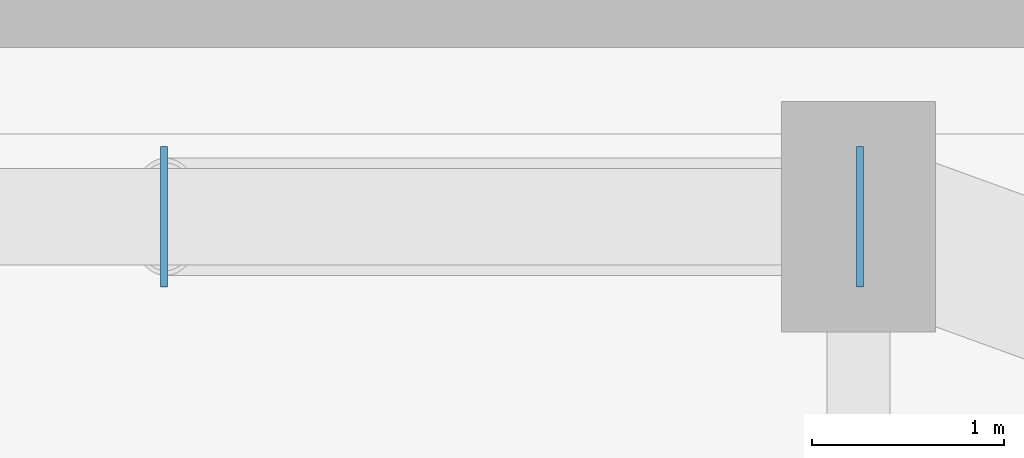
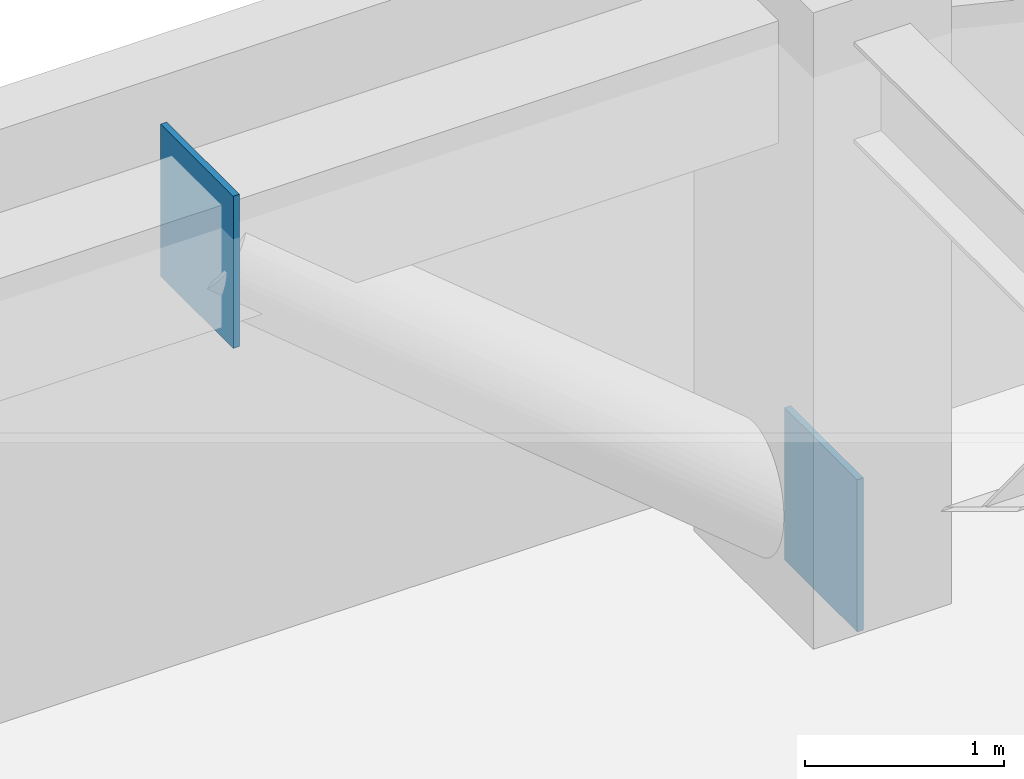
# One storey, part 17 of 24: 2 plates.
"""IFC4 building model written with IfcOpenShell, lengths in metres."""

from ifc_helpers import new_model, si_unit, direction, frame, origin, origin_2d, place, context, subcontext, project, spatial, rectangle, extrude, material, layer, layer_set, type_object, element, save


model = new_model("IFC4")

# Units and contexts
model_context = context("Model", 3, precision=1e-05, world=origin(), true_north=direction((0.0, 1.0)))
body_context = subcontext(model_context, "Body", "Model", "MODEL_VIEW")
ifc_project = project(units=[si_unit("LENGTHUNIT", "METRE"), si_unit("AREAUNIT", "SQUARE_METRE"), si_unit("VOLUMEUNIT", "CUBIC_METRE"), si_unit("PLANEANGLEUNIT", "RADIAN"), si_unit("MASSUNIT", "GRAM", prefix="KILO")], contexts=[model_context])

# Site, building, storey
site_placement = place(None, origin())
site = spatial("IfcSite", under=ifc_project, at=site_placement, CompositionType="ELEMENT")
building_placement = place(site_placement, origin())
building = spatial("IfcBuilding", under=site, at=building_placement, Name="Kiyonajd Concourse Tower", CompositionType="ELEMENT")
storey_placement = place(building_placement, frame((0.0, 0.0, 97.5)))
storey = spatial("IfcBuildingStorey", under=building, at=storey_placement, Name="L25", CompositionType="ELEMENT", Elevation=97.5)

# Plates
ifc_material = material(Name="Steel ASTM A572 Grade 50", Category="steel")
ifc_layer = layer(ifc_material, 0.028076171875)
ifc_layer_set = layer_set([ifc_layer], Name="Steel ASTM A572 Grade 50")
plate_type = type_object("IfcPlateType", Name="PL-CAP-450", PredefinedType="USERDEFINED", material=ifc_layer_set)
for number, where, z_axis, x_axis, name in (
    (1, (63.6083984375, 61.199951171875, -0.173583984375), (0.0, 0.0, 1.0), (1.0, 0.0, 0.0), "L25 Hollow Brace End Cap Plate PBN"),
    (2, (59.991455078125, 61.199951171875, 2.83056640625), (0.0, 0.0, 1.0), (-1.0, 0.0, 0.0), "L25 Hollow Brace Top Cap Plate PBN"),
):
    element("IfcPlate", number, at=place(storey_placement, frame(where, z_axis=z_axis, x_axis=x_axis)), inside=storey, type_object=plate_type, Name=name, ObjectType="CAP PLATE", PredefinedType="USERDEFINED", context=body_context, shape_type="SweptSolid", body=[
        extrude(rectangle(XDim=0.035888671875, YDim=0.72998046875, at=origin_2d()), origin(), (0.0, 0.0, 1.0), 0.93310546875),
    ])

save(model, "model.ifc")
